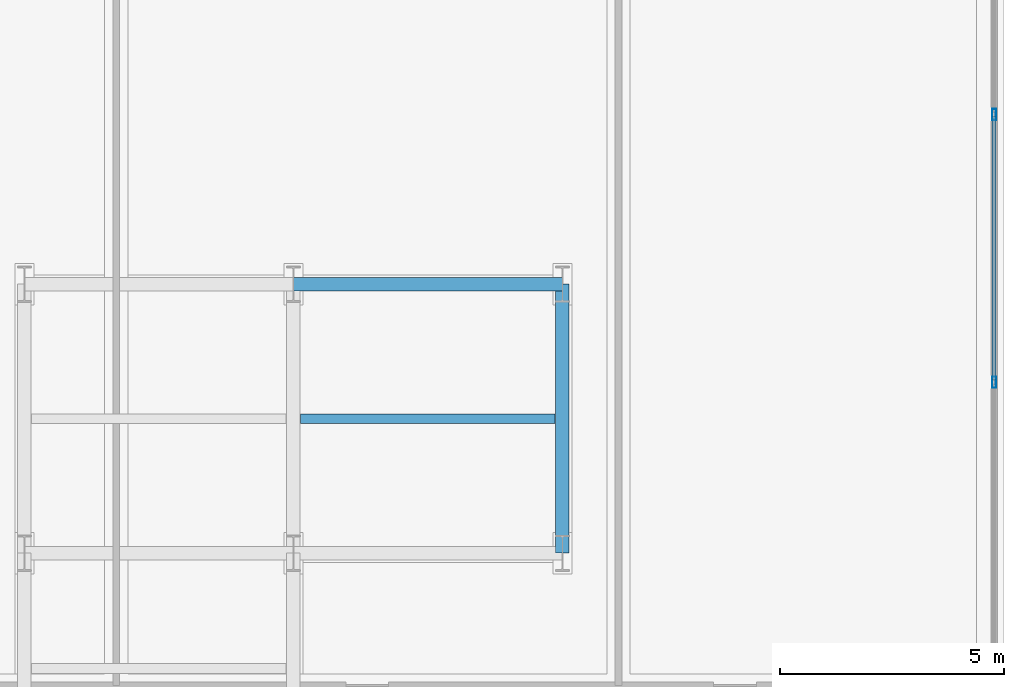
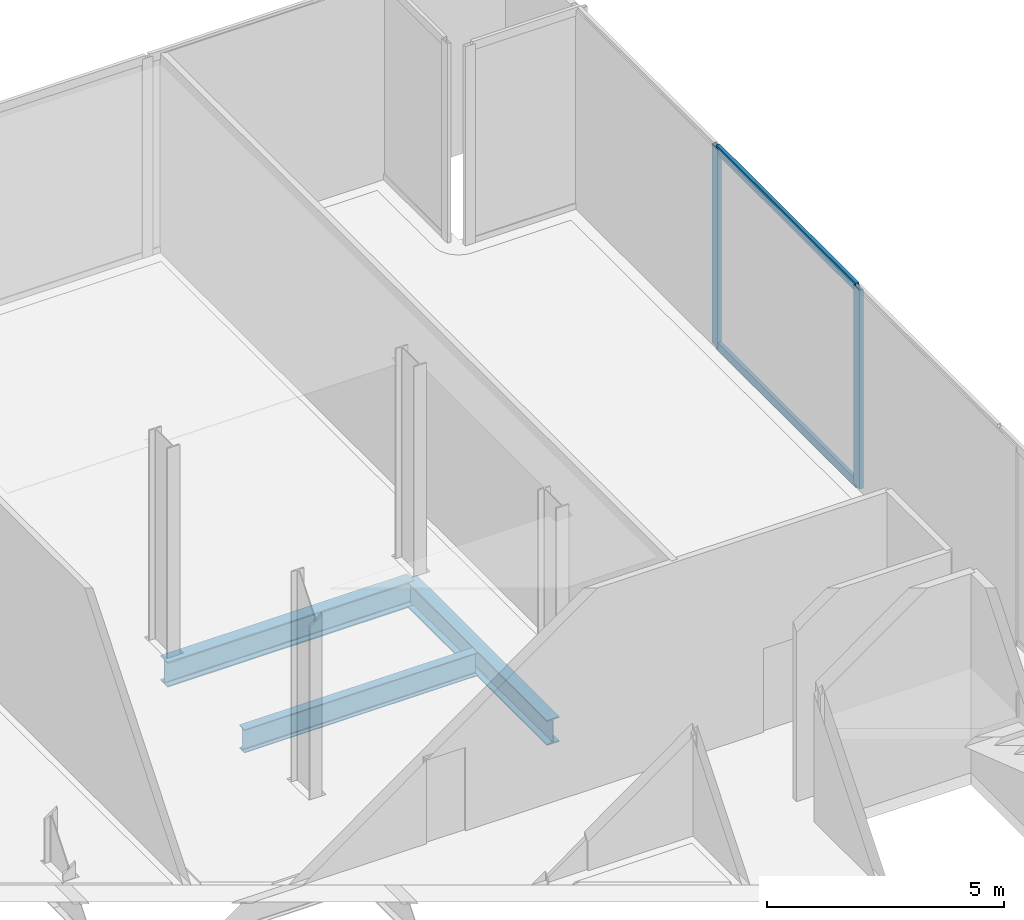
# One storey, part 18 of 27: 4 members, 3 beams, 1 element without a shape of its own.
"""IFC4 building model written with IfcOpenShell, lengths in metres."""

from ifc_helpers import new_model, si_unit, direction, frame, origin, origin_2d, place, context, subcontext, project, spatial, hollow_rectangle, i_section, extrude, material, layer, layer_set, material_profile, profile_set, type_object, element, aggregate, save


model = new_model("IFC4")

# Units and contexts
model_context = context("Model", 3, precision=1e-05, world=origin(), true_north=direction((0.0, 1.0)))
body_context = subcontext(model_context, "Body", "Model", "MODEL_VIEW")
ifc_project = project(units=[si_unit("LENGTHUNIT", "METRE"), si_unit("AREAUNIT", "SQUARE_METRE"), si_unit("VOLUMEUNIT", "CUBIC_METRE"), si_unit("PLANEANGLEUNIT", "RADIAN"), si_unit("MASSUNIT", "GRAM", prefix="KILO"), si_unit("THERMODYNAMICTEMPERATUREUNIT", "KELVIN"), si_unit("POWERUNIT", "WATT")], contexts=[model_context])

# Site, building, storey
site_placement = place(None, origin())
site = spatial("IfcSite", under=ifc_project, at=site_placement, CompositionType="ELEMENT")
building_placement = place(site_placement, origin())
building = spatial("IfcBuilding", under=site, at=building_placement, Name="Svarakhadi Broadcast Tower", CompositionType="ELEMENT")
storey_placement = place(building_placement, frame((0.0, 0.0, 5.699951171875)))
storey = spatial("IfcBuildingStorey", under=building, at=storey_placement, Name="L01", CompositionType="ELEMENT", Elevation=5.699951171875)

# Beam
ifc_material_1 = material(Name="Steel S355J2 (IS 2062 E350C)", Category="steel")
ifc_material_profile_1 = material_profile(ifc_material_1, i_section(OverallWidth=0.219970703125, OverallDepth=0.60009765625, WebThickness=0.011962890625, FlangeThickness=0.01904296875, FilletRadius=0.02392578125, at=origin_2d()), Name="NPB 600x220x122")
ifc_profile_set_1 = profile_set([ifc_material_profile_1], Name="Steel S355J2 (IS 2062 E350C)")
beam_type_1 = type_object("IfcBeamType", Name="Beam_NPB600", PredefinedType="BEAM", material=ifc_profile_set_1)
beam_placement = place(storey_placement, frame((47.31005859375, 32.14990234375, -0.599853515625), z_axis=(1.0, 0.0, 0.0), x_axis=(0.0, 1.0, 0.0)))
element("IfcBeam", 1, at=beam_placement, inside=storey, type_object=beam_type_1, Name="L01 Secondary Composite Beam SB028", PredefinedType="BEAM", context=body_context, shape_type="SweptSolid", body=[
    extrude(i_section(OverallWidth=0.219970703125, OverallDepth=0.60009765625, WebThickness=0.011962890625, FlangeThickness=0.01904296875, FilletRadius=0.02392578125, at=origin_2d()), origin(), (0.0, 0.0, 1.0), 5.679931640625),
])

# Curtain wall, members
ifc_material_2 = material(Name="Anodised Bronze Aluminium AA 6063-T6", Category="aluminium")
ifc_layer = layer(ifc_material_2, 0.25)
ifc_layer_set = layer_set([ifc_layer], Name="Anodised Bronze Aluminium AA 6063-T6")
curtain_wall_type = type_object("IfcCurtainWallType", Name="CW_Sys_01", PredefinedType="NOTDEFINED", material=ifc_layer_set)
curtain_wall_placement = place(storey_placement, origin())
curtain_wall = element("IfcCurtainWall", 2, at=curtain_wall_placement, inside=storey, type_object=curtain_wall_type, Name="L01 Unitised Facade Curtain Wall 08", PredefinedType="NOTDEFINED")
ifc_material_profile_2 = material_profile(ifc_material_2, hollow_rectangle(XDim=0.094970703125, YDim=0.25, WallThickness=0.006103515625, at=origin_2d()), Name="ALU MULLION 250x95x6")
ifc_profile_set_2 = profile_set([ifc_material_profile_2], Name="Anodised Bronze Aluminium AA 6063-T6")
member_type_1 = type_object("IfcMemberType", Name="CW_Sys_01_Mul", PredefinedType="MULLION", material=ifc_profile_set_2)
member_1_placement = place(storey_placement, frame((62.780029296875, 38.935791015625, 0.0), z_axis=(0.0, 0.0, 1.0), x_axis=(1.0, 0.0, 0.0)))
member_1 = element("IfcMember", 3, at=member_1_placement, type_object=member_type_1, Name="CW-01 mullion 2", PredefinedType="MULLION", context=body_context, shape_type="SweptSolid", body=[
    extrude(hollow_rectangle(XDim=0.094970703125, YDim=0.25, WallThickness=0.006103515625, at=origin_2d()), origin(), (0.0, 0.0, 1.0), 5.125),
])
member_2_placement = place(storey_placement, frame((62.780029296875, 32.96142578125, 0.0), z_axis=(0.0, 0.0, 1.0), x_axis=(1.0, 0.0, 0.0)))
member_2 = element("IfcMember", 4, at=member_2_placement, type_object=member_type_1, Name="CW-01 mullion 3", PredefinedType="MULLION", context=body_context, shape_type="SweptSolid", body=[
    extrude(hollow_rectangle(XDim=0.094970703125, YDim=0.25, WallThickness=0.006103515625, at=origin_2d()), origin(), (0.0, 0.0, 1.0), 5.125),
])
ifc_material_profile_3 = material_profile(ifc_material_2, hollow_rectangle(XDim=0.0849609375, YDim=0.219970703125, WallThickness=0.0048828125, at=origin_2d()), Name="ALU TRANSOM 220x85x5")
ifc_profile_set_3 = profile_set([ifc_material_profile_3], Name="Anodised Bronze Aluminium AA 6063-T6")
member_type_2 = type_object("IfcMemberType", Name="CW_Sys_01_Trn", PredefinedType="USERDEFINED", material=ifc_profile_set_3)
member_3_placement = place(storey_placement, frame((62.780029296875, 38.88818359375, 0.04248046875), z_axis=(0.0, -1.0, 0.0), x_axis=(1.0, 0.0, 0.0)))
member_3 = element("IfcMember", 5, at=member_3_placement, type_object=member_type_2, Name="CW-01 transom 2.1", ObjectType="TRANSOM", PredefinedType="USERDEFINED", context=body_context, shape_type="SweptSolid", body=[
    extrude(hollow_rectangle(XDim=0.0849609375, YDim=0.219970703125, WallThickness=0.0048828125, at=origin_2d()), origin(), (0.0, 0.0, 1.0), 5.879150390625),
])
member_4_placement = place(storey_placement, frame((62.780029296875, 38.88818359375, 5.08251953125), z_axis=(0.0, -1.0, 0.0), x_axis=(1.0, 0.0, 0.0)))
member_4 = element("IfcMember", 6, at=member_4_placement, type_object=member_type_2, Name="CW-01 transom 2.2", ObjectType="TRANSOM", PredefinedType="USERDEFINED", context=body_context, shape_type="SweptSolid", body=[
    extrude(hollow_rectangle(XDim=0.0849609375, YDim=0.219970703125, WallThickness=0.0048828125, at=origin_2d()), origin(), (0.0, 0.0, 1.0), 5.879150390625),
])
aggregate(curtain_wall, [member_1, member_2, member_3, member_4])

# Beams
ifc_material_profile_4 = material_profile(ifc_material_1, i_section(OverallWidth=0.300048828125, OverallDepth=0.64990234375, WebThickness=0.01611328125, FlangeThickness=0.031005859375, FilletRadius=0.027099609375, at=origin_2d()), Name="WPB 650x300x225")
ifc_profile_set_4 = profile_set([ifc_material_profile_4], Name="Steel S355J2 (IS 2062 E350C)")
beam_type_2 = type_object("IfcBeamType", Name="Girder_WPB650", PredefinedType="USERDEFINED", material=ifc_profile_set_4)
for number, where, z_axis, x_axis, name in (
    (7, (47.14990234375, 35.14990234375, -0.625), (1.0, 0.0, 0.0), (0.0, 1.0, 0.0), "L01 Primary E-W Girder G039"),
    (8, (53.14990234375, 29.14990234375, -0.625), (0.0, 1.0, 0.0), (-1.0, 0.0, 0.0), "L01 Primary N-S Girder G085"),
):
    element("IfcBeam", number, at=place(storey_placement, frame(where, z_axis=z_axis, x_axis=x_axis)), inside=storey, type_object=beam_type_2, Name=name, ObjectType="GIRDER", PredefinedType="USERDEFINED", context=body_context, shape_type="SweptSolid", body=[
        extrude(i_section(OverallWidth=0.300048828125, OverallDepth=0.64990234375, WebThickness=0.01611328125, FlangeThickness=0.031005859375, FilletRadius=0.027099609375, at=origin_2d()), origin(), (0.0, 0.0, 1.0), 6.0),
    ])

save(model, "model.ifc")
